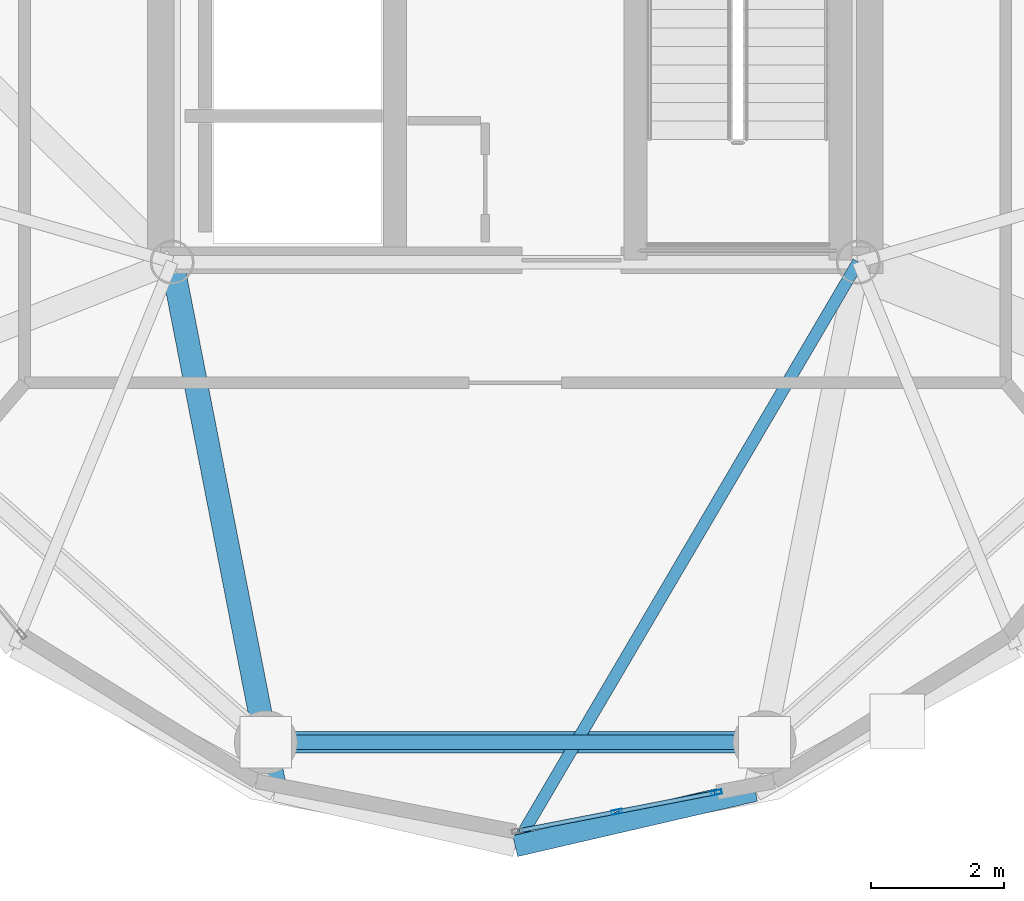
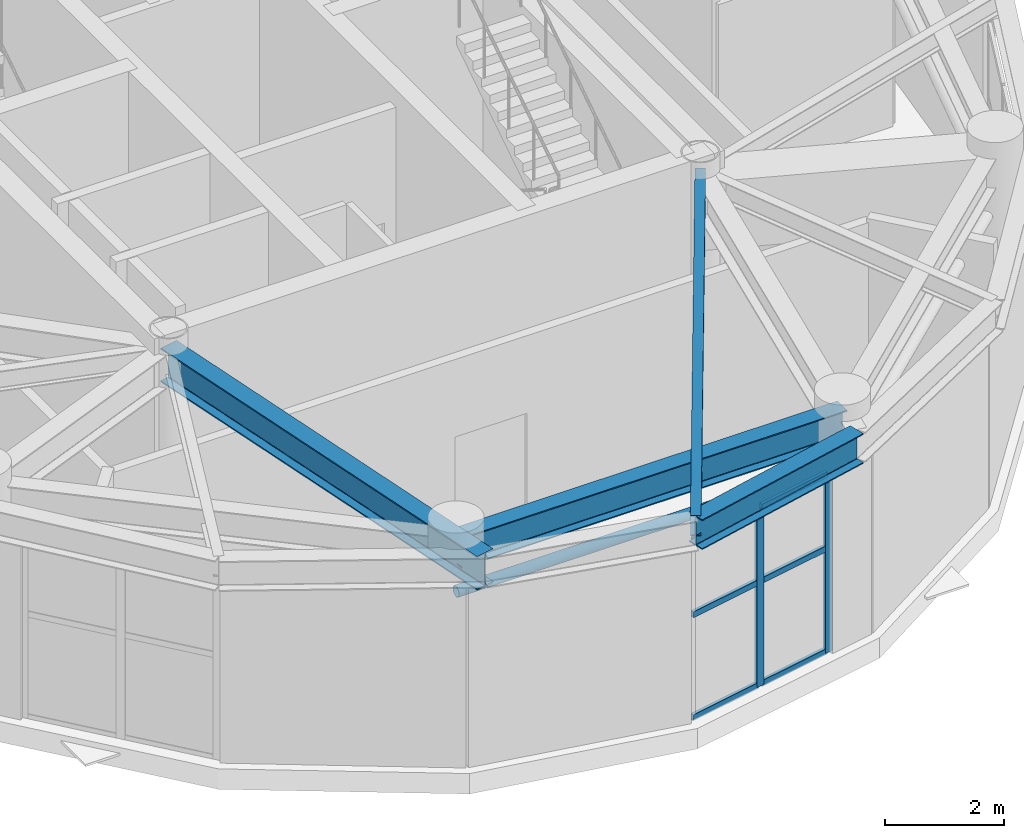
# One storey, part 3 of 28: 9 members, 4 beams, 1 element without a shape of its own.
"""IFC4 building model written with IfcOpenShell, lengths in metres."""

from ifc_helpers import new_model, si_unit, direction, frame, origin, origin_2d, place, context, subcontext, project, spatial, hollow_rectangle, hollow_circle, i_section, extrude, material, layer, layer_set, material_profile, profile_set, type_object, element, aggregate, save


model = new_model("IFC4")

# Units and contexts
model_context = context("Model", 3, precision=1e-05, world=origin(), true_north=direction((0.0, 1.0)))
body_context = subcontext(model_context, "Body", "Model", "MODEL_VIEW")
ifc_project = project(units=[si_unit("LENGTHUNIT", "METRE"), si_unit("AREAUNIT", "SQUARE_METRE"), si_unit("VOLUMEUNIT", "CUBIC_METRE"), si_unit("PLANEANGLEUNIT", "RADIAN"), si_unit("MASSUNIT", "GRAM", prefix="KILO")], contexts=[model_context])

# Site, building, storey
site_placement = place(None, origin())
site = spatial("IfcSite", under=ifc_project, at=site_placement, CompositionType="ELEMENT")
building_placement = place(site_placement, origin())
building = spatial("IfcBuilding", under=site, at=building_placement, Name="Cununo Teusaquillo Station Towers", CompositionType="ELEMENT")
storey_placement = place(building_placement, frame((0.0, 0.0, 235.64990234375)))
storey = spatial("IfcBuildingStorey", under=building, at=storey_placement, Name="L75", CompositionType="ELEMENT", Elevation=235.64990234375)

# Beams
ifc_material_1 = material(Name="Steel ASTM A572 Grade 50", Category="steel")
ifc_material_profile_1 = material_profile(ifc_material_1, i_section(OverallWidth=0.180908203125, OverallDepth=0.4169921875, WebThickness=0.010986328125, FlangeThickness=0.018310546875, FilletRadius=0.012939453125, at=origin_2d()), Name="W16X57")
ifc_profile_set_1 = profile_set([ifc_material_profile_1], Name="Steel ASTM A572 Grade 50")
beam_type_1 = type_object("IfcBeamType", Name="BM-JOIST-1", PredefinedType="JOIST", material=ifc_profile_set_1)
beam_1_placement = place(storey_placement, frame((21.675048828125, 17.6201171875, 4.131591796875), z_axis=(-0.506486432091, -0.862247930765, 0.0), x_axis=(0.862247930765, -0.506486432091, 0.0)))
element("IfcBeam", 1, at=beam_1_placement, inside=storey, type_object=beam_type_1, Name="L75 Tower A Radial Spandrel Joist V15", PredefinedType="JOIST", context=body_context, shape_type="SweptSolid", body=[
    extrude(i_section(OverallWidth=0.180908203125, OverallDepth=0.4169921875, WebThickness=0.010986328125, FlangeThickness=0.018310546875, FilletRadius=0.012939453125, at=origin_2d()), origin(), (0.0, 0.0, 1.0), 10.217529296875),
])
ifc_material_2 = material(Name="Steel ASTM A572 Grade 50", Category="steel")
ifc_material_profile_2 = material_profile(ifc_material_2, i_section(OverallWidth=0.35498046875, OverallDepth=0.696044921875, WebThickness=0.015380859375, FlangeThickness=0.02490234375, FilletRadius=0.01806640625, at=origin_2d()), Name="W27X146")
ifc_profile_set_2 = profile_set([ifc_material_profile_2], Name="Steel ASTM A572 Grade 50")
beam_type_2 = type_object("IfcBeamType", Name="BM-PLNT-G1", PredefinedType="BEAM", material=ifc_profile_set_2)
beam_2_placement = place(storey_placement, frame((11.324951171875, 17.6201171875, 3.9921875), z_axis=(0.191548487699, -0.981483151593, 0.0), x_axis=(0.981483151593, 0.191548487699, 0.0)))
element("IfcBeam", 2, at=beam_2_placement, inside=storey, type_object=beam_type_2, Name="L75 Tower A Continuous Overhanging Radial Girder 08", PredefinedType="BEAM", context=body_context, shape_type="SweptSolid", body=[
    extrude(i_section(OverallWidth=0.35498046875, OverallDepth=0.696044921875, WebThickness=0.015380859375, FlangeThickness=0.02490234375, FilletRadius=0.01806640625, at=origin_2d()), origin(), (0.0, 0.0, 1.0), 8.1240234375),
])
ifc_material_3 = material(Name="Steel ASTM A572 Grade 50", Category="steel")
ifc_material_profile_3 = material_profile(ifc_material_3, i_section(OverallWidth=0.324951171875, OverallDepth=0.615966796875, WebThickness=0.013916015625, FlangeThickness=0.021484375, FilletRadius=0.01611328125, at=origin_2d()), Name="W24X117")
ifc_profile_set_3 = profile_set([ifc_material_profile_3], Name="Steel ASTM A572 Grade 50")
beam_type_3 = type_object("IfcBeamType", Name="BM-PLNT-G2", PredefinedType="BEAM", material=ifc_profile_set_3)
beam_3_placement = place(storey_placement, frame((12.738525390625, 10.376708984375, 4.031982421875), z_axis=(1.0, 0.0, 0.0), x_axis=(0.0, 1.0, 0.0)))
element("IfcBeam", 3, at=beam_3_placement, inside=storey, type_object=beam_type_3, Name="L75 Tower A Structural Column Ring Girder 08", PredefinedType="BEAM", context=body_context, shape_type="SweptSolid", body=[
    extrude(i_section(OverallWidth=0.324951171875, OverallDepth=0.615966796875, WebThickness=0.013916015625, FlangeThickness=0.021484375, FilletRadius=0.01611328125, at=origin_2d()), origin(), (0.0, 0.0, 1.0), 7.52294921875),
])
beam_4_placement = place(storey_placement, frame((16.5, 8.81005859375, 4.031982421875), z_axis=(0.97431470066, 0.225190728224, 0.0), x_axis=(-0.225190728224, 0.97431470066, 0.0)))
element("IfcBeam", 4, at=beam_4_placement, inside=storey, type_object=beam_type_3, Name="L75 Tower A Spandrel Ring Beam 16", PredefinedType="BEAM", context=body_context, shape_type="SweptSolid", body=[
    extrude(i_section(OverallWidth=0.324951171875, OverallDepth=0.615966796875, WebThickness=0.013916015625, FlangeThickness=0.021484375, FilletRadius=0.01611328125, at=origin_2d()), origin(), (0.0, 0.0, 1.0), 3.71435546875),
])

# Curtain wall, members
ifc_material_4 = material(Name="Ceramic-fritted dark low-E double glazing", Category="glass")
ifc_layer = layer(ifc_material_4, 0.179931640625)
ifc_layer_set = layer_set([ifc_layer], Name="Ceramic-fritted dark low-E double glazing")
curtain_wall_type = type_object("IfcCurtainWallType", Name="CW-SYS-08", PredefinedType="USERDEFINED", material=ifc_layer_set)
curtain_wall_placement = place(storey_placement, origin())
curtain_wall = element("IfcCurtainWall", 5, at=curtain_wall_placement, inside=storey, type_object=curtain_wall_type, Name="L75 Tower A Crown Drum Glazed Screen C15", ObjectType="FRITTED GLAZING", PredefinedType="USERDEFINED")
ifc_material_5 = material(Name="Anodised dark bronze aluminium EN AW-6063-T6", Category="aluminium")
ifc_material_profile_4 = material_profile(ifc_material_5, hollow_rectangle(XDim=0.06494140625, YDim=0.159912109375, WallThickness=0.00390625, at=origin_2d()), Name="CW-MULL-65x160")
ifc_profile_set_4 = profile_set([ifc_material_profile_4], Name="Anodised dark bronze aluminium EN AW-6063-T6")
member_type_1 = type_object("IfcMemberType", Name="CWM-160", PredefinedType="MULLION", material=ifc_profile_set_4)
member_1_placement = place(storey_placement, frame((19.53662109375, 9.619140625, 0.0), z_axis=(0.0, 0.0, 1.0), x_axis=(0.190452618648, -0.981696388936, 0.0)))
member_1 = element("IfcMember", 6, at=member_1_placement, type_object=member_type_1, Name="CW-08 mullion 1", PredefinedType="MULLION", context=body_context, shape_type="SweptSolid", body=[
    extrude(hollow_rectangle(XDim=0.06494140625, YDim=0.159912109375, WallThickness=0.00390625, at=origin_2d()), origin(), (0.0, 0.0, 1.0), 3.696044921875),
])
member_2_placement = place(storey_placement, frame((18.0341796875, 9.32763671875, 0.0), z_axis=(0.0, 0.0, 1.0), x_axis=(0.190452618648, -0.981696388936, 0.0)))
member_2 = element("IfcMember", 7, at=member_2_placement, type_object=member_type_1, Name="CW-08 mullion 2", PredefinedType="MULLION", context=body_context, shape_type="SweptSolid", body=[
    extrude(hollow_rectangle(XDim=0.06494140625, YDim=0.159912109375, WallThickness=0.00390625, at=origin_2d()), origin(), (0.0, 0.0, 1.0), 3.696044921875),
])
ifc_material_6 = material(Name="Anodised dark bronze aluminium EN AW-6063-T6", Category="aluminium")
ifc_material_profile_5 = material_profile(ifc_material_6, hollow_rectangle(XDim=0.06494140625, YDim=0.1201171875, WallThickness=0.00390625, at=origin_2d()), Name="CW-TRAN-65x120")
ifc_profile_set_5 = profile_set([ifc_material_profile_5], Name="Anodised dark bronze aluminium EN AW-6063-T6")
member_type_2 = type_object("IfcMemberType", Name="CWT-120", PredefinedType="USERDEFINED", material=ifc_profile_set_5)
member_3_placement = place(storey_placement, frame((19.504638671875, 9.613037109375, 0.03271484375), z_axis=(-0.981667380183, -0.190602084679, 0.0), x_axis=(0.190602084679, -0.981667380183, 0.0)))
member_3 = element("IfcMember", 8, at=member_3_placement, type_object=member_type_2, Name="CW-08 transom 1.1", ObjectType="TRANSOM", PredefinedType="USERDEFINED", context=body_context, shape_type="SweptSolid", body=[
    extrude(hollow_rectangle(XDim=0.06494140625, YDim=0.1201171875, WallThickness=0.00390625, at=origin_2d()), origin(), (0.0, 0.0, 1.0), 1.46533203125),
])
member_4_placement = place(storey_placement, frame((19.504638671875, 9.613037109375, 2.150146484375), z_axis=(-0.981667380183, -0.190602084679, 0.0), x_axis=(0.190602084679, -0.981667380183, 0.0)))
member_4 = element("IfcMember", 9, at=member_4_placement, type_object=member_type_2, Name="CW-08 transom 1.2", ObjectType="TRANSOM", PredefinedType="USERDEFINED", context=body_context, shape_type="SweptSolid", body=[
    extrude(hollow_rectangle(XDim=0.06494140625, YDim=0.1201171875, WallThickness=0.00390625, at=origin_2d()), origin(), (0.0, 0.0, 1.0), 1.46533203125),
])
member_5_placement = place(storey_placement, frame((19.504638671875, 9.613037109375, 3.66357421875), z_axis=(-0.981667380183, -0.190602084679, 0.0), x_axis=(0.190602084679, -0.981667380183, 0.0)))
member_5 = element("IfcMember", 10, at=member_5_placement, type_object=member_type_2, Name="CW-08 transom 1.3", ObjectType="TRANSOM", PredefinedType="USERDEFINED", context=body_context, shape_type="SweptSolid", body=[
    extrude(hollow_rectangle(XDim=0.06494140625, YDim=0.1201171875, WallThickness=0.00390625, at=origin_2d()), origin(), (0.0, 0.0, 1.0), 1.46533203125),
])
member_6_placement = place(storey_placement, frame((18.00244140625, 9.321533203125, 0.03271484375), z_axis=(-0.981704583445, -0.190410374831, 0.0), x_axis=(0.190410374831, -0.981704583445, 0.0)))
member_6 = element("IfcMember", 11, at=member_6_placement, type_object=member_type_2, Name="CW-08 transom 2.1", ObjectType="TRANSOM", PredefinedType="USERDEFINED", context=body_context, shape_type="SweptSolid", body=[
    extrude(hollow_rectangle(XDim=0.06494140625, YDim=0.1201171875, WallThickness=0.00390625, at=origin_2d()), origin(), (0.0, 0.0, 1.0), 1.465576171875),
])
member_7_placement = place(storey_placement, frame((18.00244140625, 9.321533203125, 2.150146484375), z_axis=(-0.981704583445, -0.190410374831, 0.0), x_axis=(0.190410374831, -0.981704583445, 0.0)))
member_7 = element("IfcMember", 12, at=member_7_placement, type_object=member_type_2, Name="CW-08 transom 2.2", ObjectType="TRANSOM", PredefinedType="USERDEFINED", context=body_context, shape_type="SweptSolid", body=[
    extrude(hollow_rectangle(XDim=0.06494140625, YDim=0.1201171875, WallThickness=0.00390625, at=origin_2d()), origin(), (0.0, 0.0, 1.0), 1.465576171875),
])
member_8_placement = place(storey_placement, frame((18.00244140625, 9.321533203125, 3.66357421875), z_axis=(-0.981704583445, -0.190410374831, 0.0), x_axis=(0.190410374831, -0.981704583445, 0.0)))
member_8 = element("IfcMember", 13, at=member_8_placement, type_object=member_type_2, Name="CW-08 transom 2.3", ObjectType="TRANSOM", PredefinedType="USERDEFINED", context=body_context, shape_type="SweptSolid", body=[
    extrude(hollow_rectangle(XDim=0.06494140625, YDim=0.1201171875, WallThickness=0.00390625, at=origin_2d()), origin(), (0.0, 0.0, 1.0), 1.465576171875),
])
aggregate(curtain_wall, [member_1, member_2, member_3, member_4, member_5, member_6, member_7, member_8])

# Member
ifc_material_7 = material(Name="Steel EN 10025-2 S355J2", Category="steel")
ifc_material_profile_6 = material_profile(ifc_material_7, hollow_circle(Radius=0.109619140625, WallThickness=0.010009765625, at=origin_2d()), Name="CHS 219x10")
ifc_profile_set_6 = profile_set([ifc_material_profile_6], Name="Steel EN 10025-2 S355J2")
member_type_3 = type_object("IfcMemberType", Name="MBR-DRUM-COL", PredefinedType="COLLAR", material=ifc_profile_set_6)
member_9_placement = place(storey_placement, frame((12.738525390625, 10.376708984375, 3.150146484375), z_axis=(1.0, 0.0, 0.0), x_axis=(0.0, 1.0, 0.0)))
element("IfcMember", 14, at=member_9_placement, inside=storey, type_object=member_type_3, Name="L75 Tower A Crown Drum Collar 08", PredefinedType="COLLAR", context=body_context, shape_type="SweptSolid", body=[
    extrude(hollow_circle(Radius=0.109619140625, WallThickness=0.010009765625, at=origin_2d()), origin(), (0.0, 0.0, 1.0), 7.52294921875),
])

save(model, "model.ifc")
